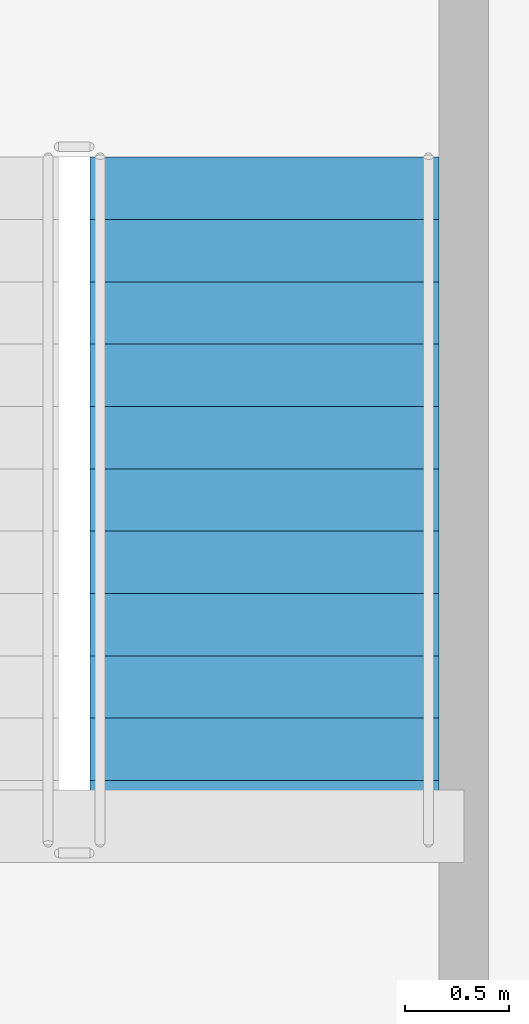
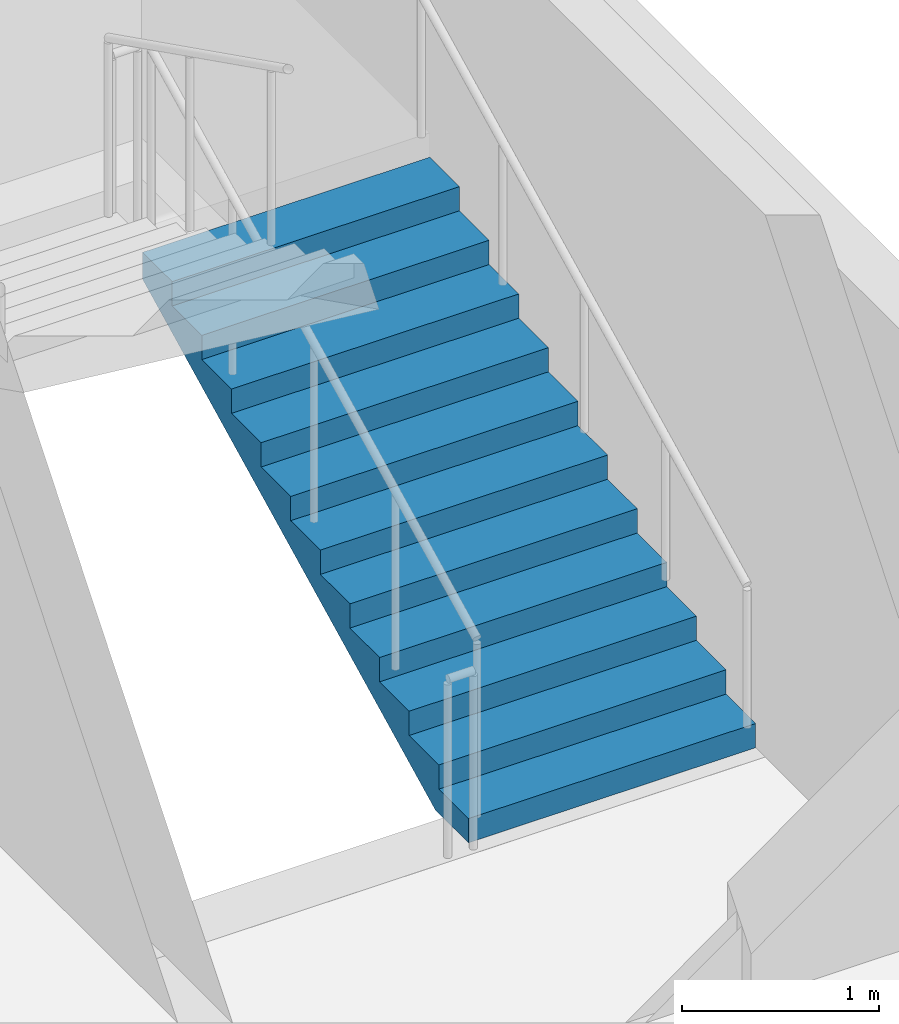
# One storey, part 16 of 20: 1 stair flight, 1 element without a shape of its own.
"""IFC4 building model written with IfcOpenShell, lengths in metres."""

from ifc_helpers import new_model, si_unit, direction, frame, origin, place, context, subcontext, project, spatial, polyline, outline, extrude, material, type_object, element, aggregate, save


model = new_model("IFC4")

# Units and contexts
model_context = context("Model", 3, precision=1e-05, world=origin(), true_north=direction((0.0, 1.0)))
body_context = subcontext(model_context, "Body", "Model", "MODEL_VIEW")
ifc_project = project(units=[si_unit("LENGTHUNIT", "METRE"), si_unit("AREAUNIT", "SQUARE_METRE"), si_unit("VOLUMEUNIT", "CUBIC_METRE"), si_unit("PLANEANGLEUNIT", "RADIAN"), si_unit("MASSUNIT", "GRAM", prefix="KILO")], contexts=[model_context])

# Site, building, storey
site_placement = place(None, origin())
site = spatial("IfcSite", under=ifc_project, at=site_placement, CompositionType="ELEMENT")
building_placement = place(site_placement, origin())
building = spatial("IfcBuilding", under=site, at=building_placement, Name="Yukiwa Park Conservatory and Herbarium", CompositionType="ELEMENT")
storey_placement = place(building_placement, frame((0.0, 0.0, 28.199951171875)))
storey = spatial("IfcBuildingStorey", under=building, at=storey_placement, Name="L07", CompositionType="ELEMENT", Elevation=28.199951171875)

# Stair, stair flight
ifc_material_1 = material(Name="Concrete C40", Category="concrete")
stair_type = type_object("IfcStairType", Name="ST-DOGLEG-ST-T3", PredefinedType="HALF_TURN_STAIR", material=ifc_material_1)
stair_placement = place(storey_placement, origin())
stair = element("IfcStair", 1, at=stair_placement, inside=storey, type_object=stair_type, Name="L07 Protected Smoke-Proof Stair ST-T3", PredefinedType="HALF_TURN_STAIR")
ifc_material_2 = material(Name="Concrete C40", Category="concrete")
stair_flight_type = type_object("IfcStairFlightType", Name="STF-RC-1680", PredefinedType="STRAIGHT", material=ifc_material_2)
stair_flight_placement = place(storey_placement, frame((166.360107421875, 108.3798828125, 0.0), z_axis=(0.0, 0.0, 1.0), x_axis=(0.0, 1.0, 0.0)))
stair_flight = element("IfcStairFlight", 2, at=stair_flight_placement, type_object=stair_flight_type, Name="ST-T3 flight 1", NumberOfRisers=12, NumberOfTreads=11, PredefinedType="STRAIGHT", RiserHeight=0.15, TreadLength=0.3, context=body_context, shape_type="SweptSolid", body=[
    extrude(outline(polyline([(0.0, 0.0), (0.0, 0.14990234375), (0.300048828125, 0.14990234375), (0.300048828125, 0.300048828125), (0.60009765625, 0.300048828125), (0.60009765625, 0.449951171875), (0.89990234375, 0.449951171875), (0.89990234375, 0.60009765625), (1.199951171875, 0.60009765625), (1.199951171875, 0.75), (1.5, 0.75), (1.5, 0.89990234375), (1.800048828125, 0.89990234375), (1.800048828125, 1.050048828125), (2.10009765625, 1.050048828125), (2.10009765625, 1.199951171875), (2.39990234375, 1.199951171875), (2.39990234375, 1.35009765625), (2.699951171875, 1.35009765625), (2.699951171875, 1.5), (3.0, 1.5), (3.0, 1.64990234375), (3.300048828125, 1.64990234375), (3.300048828125, 1.800048828125), (3.300048828125, 1.482421875), (0.335205078125, 0.0), (0.0, 0.0)])), frame((0.0, 0.83984375, 0.0), z_axis=(0.0, -1.0, 0.0), x_axis=(1.0, 0.0, 0.0)), (0.0, 0.0, 1.0), 1.679931640625),
])
aggregate(stair, [stair_flight])

save(model, "model.ifc")
